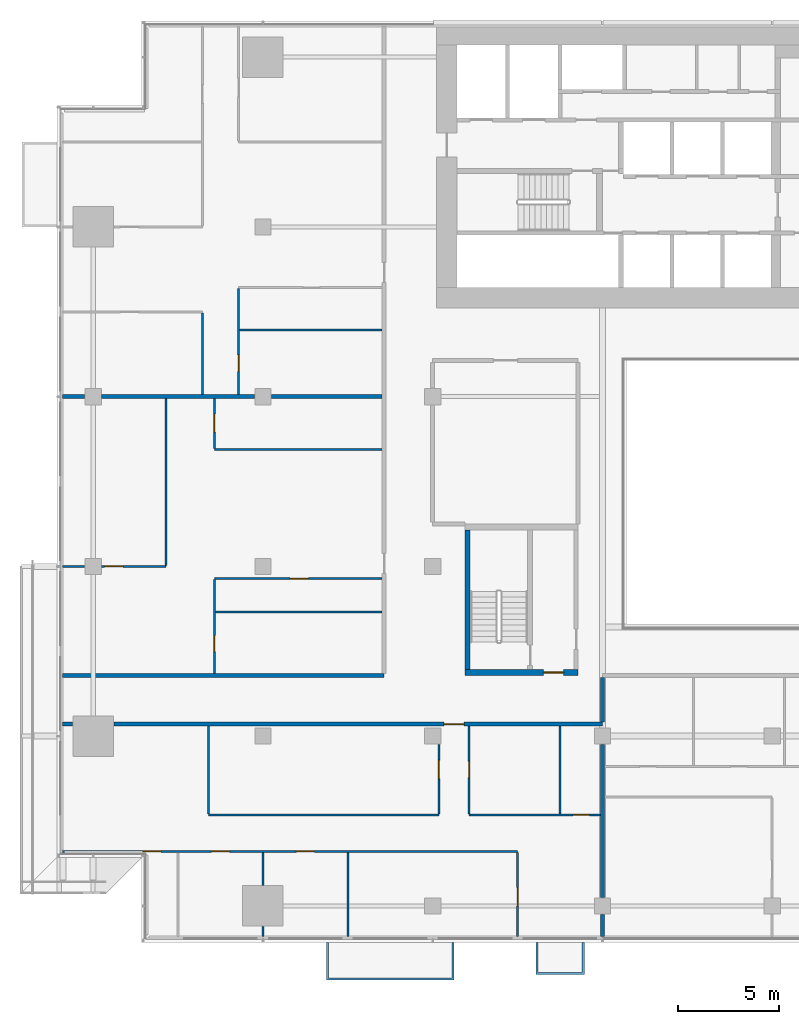
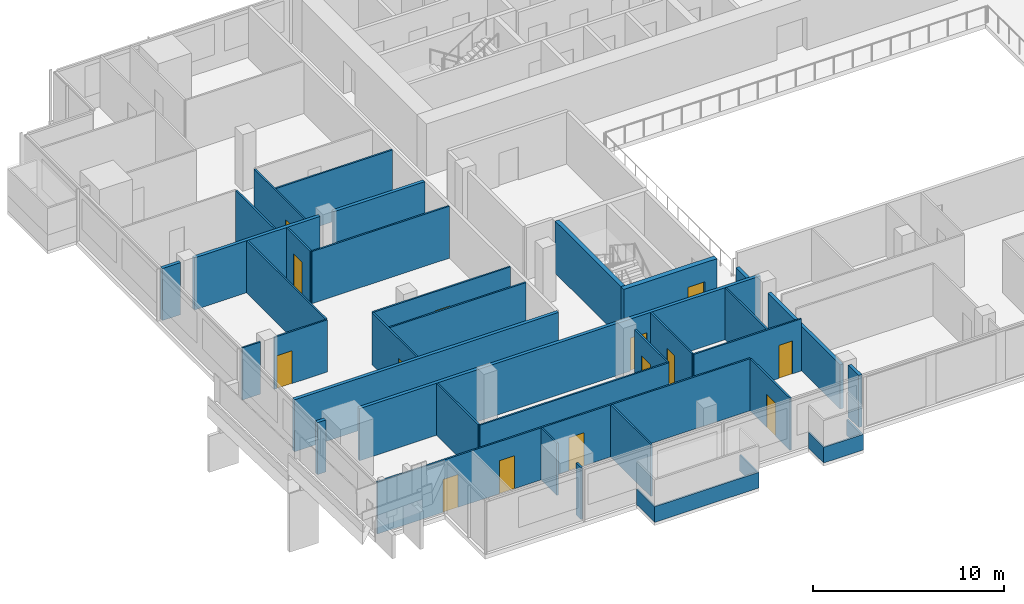
# One storey, part 18 of 29: 35 walls, 14 doors, 14 openings.
"""IFC4 building model written with IfcOpenShell, lengths in metres."""

import ifcopenshell
import ifcopenshell.guid

model = None  # the IFC model being written
_history = None  # IfcOwnerHistory: only IFC2X3 demands one
_inside = {}  # id of a spatial element -> (the spatial element, [elements in it])
_under = {}  # id of a project, library or spatial element -> (it, [spatial elements below it])
_declared = {}  # id of a project -> (the project, [libraries it declares])
_typed = {}  # id of a type object -> (the type object, [elements of that type])
_made_of = {}  # id of a material, layer set ... -> (it, [elements and type objects made of it])


def new_model(schema):
    """Start an empty IFC model of exactly this schema.

    Asked for "IFC4X3", IfcOpenShell would pick the latest addendum, in which some entities
    have other attributes; the version numbers below select the first issue.
    IFC2X3 requires an IfcOwnerHistory on every rooted entity: one is made here for all.
    """
    global model, _history
    if schema == "IFC4X3":
        model = ifcopenshell.file(schema_version=(4, 3, 0, 0))
    else:
        model = ifcopenshell.file(schema=schema)
    _inside.clear()
    _under.clear()
    _declared.clear()
    _typed.clear()
    _made_of.clear()
    _history = None
    if model.schema == "IFC2X3":
        org = make("IfcOrganization", Name="unknown")
        user = make(
            "IfcPersonAndOrganization",
            ThePerson=make("IfcPerson", FamilyName="unknown"),
            TheOrganization=org,
        )
        app = make(
            "IfcApplication",
            ApplicationDeveloper=org,
            Version="unknown",
            ApplicationFullName="unknown",
            ApplicationIdentifier="unknown",
        )
        _history = make(
            "IfcOwnerHistory",
            OwningUser=user,
            OwningApplication=app,
            ChangeAction="ADDED",
            CreationDate=0,
        )
    return model


def make(cls, **values):
    """One entity of the class cls with the attributes given. An attribute that is None is left unset."""
    return model.create_entity(
        cls, **{name: value for name, value in values.items() if value is not None}
    )


def rooted(cls, **values):
    """An entity with a GlobalId (a new one), such as an element, a storey or a relation."""
    return make(cls, GlobalId=ifcopenshell.guid.new(), OwnerHistory=_history, **values)


def si_unit(unit_type, name, prefix=None):
    """IfcSIUnit, for example si_unit("LENGTHUNIT", "METRE", prefix="MILLI")."""
    return make("IfcSIUnit", UnitType=unit_type, Prefix=prefix, Name=name)


def assignment(units):
    """IfcUnitAssignment: the units of a project."""
    return None if units is None else make("IfcUnitAssignment", Units=units)


def point(xyz):
    """IfcCartesianPoint."""
    return None if xyz is None else make("IfcCartesianPoint", Coordinates=xyz)


def direction(xyz):
    """IfcDirection."""
    return None if xyz is None else make("IfcDirection", DirectionRatios=xyz)


def frame(location, z_axis=None, x_axis=None):
    """IfcAxis2Placement3D, a coordinate frame: its origin and axes. An axis left out is left unset."""
    return make(
        "IfcAxis2Placement3D",
        Location=point(location),
        Axis=direction(z_axis),
        RefDirection=direction(x_axis),
    )


def frame_2d(location, x_axis=None):
    """IfcAxis2Placement2D, a coordinate frame in the plane: its origin and x axis."""
    return make(
        "IfcAxis2Placement2D", Location=point(location), RefDirection=direction(x_axis)
    )


def origin():
    """The frame at (0, 0, 0) with its axes left unset."""
    return frame((0.0, 0.0, 0.0))


def place(relative_to, where):
    """IfcLocalPlacement: puts the frame where relative to a parent placement (None: the world)."""
    return make(
        "IfcLocalPlacement", PlacementRelTo=relative_to, RelativePlacement=where
    )


def context(
    kind, dimensions, precision=None, world=None, true_north=None, identifier=None
):
    """IfcGeometricRepresentationContext, for example the 3D "Model" context."""
    return make(
        "IfcGeometricRepresentationContext",
        ContextIdentifier=identifier,
        ContextType=kind,
        CoordinateSpaceDimension=dimensions,
        Precision=precision,
        WorldCoordinateSystem=world,
        TrueNorth=true_north,
    )


def subcontext(parent, identifier, kind, view, scale=None):
    """IfcGeometricRepresentationSubContext, for example "Body" below "Model"."""
    return make(
        "IfcGeometricRepresentationSubContext",
        ContextIdentifier=identifier,
        ContextType=kind,
        ParentContext=parent,
        TargetScale=scale,
        TargetView=view,
    )


def project(units=None, contexts=None):
    """IfcProject with its units and contexts."""
    return rooted(
        "IfcProject",
        Name="project",
        RepresentationContexts=contexts,
        UnitsInContext=assignment(units),
    )


def spatial(cls, under=None, at=None, **own):
    """A site, building, storey or space (cls), placed at a placement, below another one or the project."""
    s = rooted(cls, ObjectPlacement=at, **own)
    if under is not None:
        _under.setdefault(under.id(), (under, []))[1].append(s)
    return s


def polyline(points):
    """IfcPolyline through the points."""
    return make("IfcPolyline", Points=[point(p) for p in points])


def profile(cls, at=None, kind="AREA", **sizes):
    """A parametric profile (cls). Its sizes go by their IFC names, for example OverallWidth=200.0."""
    return make(cls, ProfileType=kind, Position=at, **sizes)


def rectangle(**sizes):
    """IfcRectangleProfileDef."""
    return profile("IfcRectangleProfileDef", **sizes)


def outline(outer, holes=None, kind="AREA"):
    """IfcArbitraryClosedProfileDef: a profile drawn as a closed curve; with holes, ...WithVoids."""
    if holes is None:
        return make("IfcArbitraryClosedProfileDef", ProfileType=kind, OuterCurve=outer)
    return make(
        "IfcArbitraryProfileDefWithVoids",
        ProfileType=kind,
        OuterCurve=outer,
        InnerCurves=holes,
    )


def extrude(swept, where, along, depth):
    """IfcExtrudedAreaSolid: the profile swept, set in the frame where, extruded along a direction by depth."""
    return make(
        "IfcExtrudedAreaSolid",
        SweptArea=swept,
        Position=where,
        ExtrudedDirection=direction(along),
        Depth=depth,
    )


def shape(context_of_items, identifier, shape_type, items):
    """IfcShapeRepresentation: the items that make up one representation, for example the "Body"."""
    return make(
        "IfcShapeRepresentation",
        ContextOfItems=context_of_items,
        RepresentationIdentifier=identifier,
        RepresentationType=shape_type,
        Items=items,
    )


def material(Name=None, Category=None):
    """IfcMaterial."""
    return make("IfcMaterial", Name=Name, Category=Category)


def layer(
    of_material, thickness, ventilated=None, Name=None, Category=None, Priority=None
):
    """IfcMaterialLayer: one layer of a wall or slab, of a material (None: an air gap)."""
    return make(
        "IfcMaterialLayer",
        Material=of_material,
        LayerThickness=thickness,
        IsVentilated=ventilated,
        Name=Name,
        Category=Category,
        Priority=Priority,
    )


def layer_set(layers, Name=None):
    """IfcMaterialLayerSet."""
    return make("IfcMaterialLayerSet", MaterialLayers=layers, LayerSetName=Name)


def made_of(thing, what):
    """Note that an element or type object is made of a material, layer set ...; save() writes the relation."""
    if what is not None:
        _made_of.setdefault(what.id(), (what, []))[1].append(thing)
    return thing


def type_object(cls, material=None, **own):
    """A type object (cls), such as IfcWallType, which elements share."""
    return made_of(rooted(cls, **own), material)


def element(
    cls,
    number,
    at=None,
    inside=None,
    cuts=None,
    type_object=None,
    material=None,
    context=None,
    identifier="Body",
    shape_type=None,
    held_by="IfcProductDefinitionShape",
    body=None,
    shapes=None,
    **own,
):
    """One element of the class cls, such as IfcWall. Its Tag is "e" and its number.

    at: its placement. inside: the storey or other place that contains it. cuts: it is an
    opening in that element (IfcRelVoidsElement). A single representation is given by context,
    identifier, shape_type and body (its items); several are given by shapes. held_by: the class
    of the entity that holds the representations. save() writes the other relations.
    """
    e = rooted(cls, Tag="e%d" % number, ObjectPlacement=at, **own)
    if body is not None:
        shapes = [shape(context, identifier, shape_type, body)]
    if shapes is not None:
        e.Representation = make(held_by, Representations=shapes)
    if inside is not None:
        _inside.setdefault(inside.id(), (inside, []))[1].append(e)
    if cuts is not None:
        rooted(
            "IfcRelVoidsElement", RelatingBuildingElement=cuts, RelatedOpeningElement=e
        )
    if type_object is not None:
        _typed.setdefault(type_object.id(), (type_object, []))[1].append(e)
    return made_of(e, material)


def fill(opening, filler):
    """IfcRelFillsElement: the door or window that sits in an opening."""
    return rooted(
        "IfcRelFillsElement",
        RelatingOpeningElement=opening,
        RelatedBuildingElement=filler,
    )


def aggregate(whole, parts):
    """IfcRelAggregates: a whole, such as a stair, and the parts it consists of."""
    return rooted("IfcRelAggregates", RelatingObject=whole, RelatedObjects=parts)


def save(model, path):
    """Write the relations noted so far, then the file.

    IfcRelAggregates (storeys below a building ...), IfcRelContainedInSpatialStructure (elements
    in a storey), IfcRelDefinesByType, IfcRelAssociatesMaterial and IfcRelDeclares: one each for
    every whole, place, type object, material and project.
    """
    for whole, parts in _under.values():
        aggregate(whole, parts)
    for where, things in _inside.values():
        rooted(
            "IfcRelContainedInSpatialStructure",
            RelatedElements=things,
            RelatingStructure=where,
        )
    for kind, things in _typed.values():
        rooted("IfcRelDefinesByType", RelatedObjects=things, RelatingType=kind)
    for what, things in _made_of.values():
        rooted("IfcRelAssociatesMaterial", RelatedObjects=things, RelatingMaterial=what)
    for by, libraries in _declared.values():
        rooted("IfcRelDeclares", RelatingContext=by, RelatedDefinitions=libraries)
    model.write(path)


model = new_model("IFC4")

# Units and contexts
model_context = context("Model", 3, precision=1e-05, world=origin(), true_north=direction((0.0, 1.0)))
body_context = subcontext(model_context, "Body", "Model", "MODEL_VIEW")
ifc_project = project(units=[si_unit("LENGTHUNIT", "METRE"), si_unit("AREAUNIT", "SQUARE_METRE"), si_unit("VOLUMEUNIT", "CUBIC_METRE"), si_unit("PLANEANGLEUNIT", "RADIAN"), si_unit("MASSUNIT", "GRAM", prefix="KILO")], contexts=[model_context])

# Site, building, storey
site_placement = place(None, origin())
site = spatial("IfcSite", under=ifc_project, at=site_placement, CompositionType="ELEMENT")
building_placement = place(site_placement, origin())
building = spatial("IfcBuilding", under=site, at=building_placement, Name="Saffron Gate Tower", CompositionType="ELEMENT")
storey_placement = place(building_placement, frame((0.0, 0.0, 113.25)))
storey = spatial("IfcBuildingStorey", under=building, at=storey_placement, Name="L26", CompositionType="ELEMENT", Elevation=113.25)

# Wall
ifc_material_1 = material(Name="Concrete C70", Category="concrete")
ifc_layer_1 = layer(ifc_material_1, 0.25)
ifc_layer_set_1 = layer_set([ifc_layer_1], Name="CW2 RC core wall 250 C70")
wall_type_1 = type_object("IfcWallType", Name="CW2 RC core wall 250 C70", PredefinedType="SOLIDWALL", material=ifc_layer_set_1)
wall_1_placement = place(storey_placement, frame((68.324951171875, 43.5, 0.0), z_axis=(0.0, 0.0, 1.0), x_axis=(0.0, 1.0, 0.0)))
element("IfcWall", 1, at=wall_1_placement, inside=storey, type_object=wall_type_1, Name="Wall CW2-L26-D-2", PredefinedType="SOLIDWALL", context=body_context, shape_type="SweptSolid", body=[
    extrude(rectangle(XDim=6.89990234375, YDim=0.25, at=frame_2d((3.449951171875, 0.0))), origin(), (0.0, 0.0, 1.0), 3.320068359375),
])

# Wall, opening, door
ifc_layer_2 = layer(ifc_material_1, 0.300048828125)
ifc_layer_set_2 = layer_set([ifc_layer_2], Name="CW5 RC core wall 300 C70")
wall_type_2 = type_object("IfcWallType", Name="CW5 RC core wall 300 C70", PredefinedType="SOLIDWALL", material=ifc_layer_set_2)
wall_2_placement = place(storey_placement, frame((68.199951171875, 43.35009765625, 0.0), z_axis=(0.0, 0.0, 1.0), x_axis=(1.0, 0.0, 0.0)))
wall_2 = element("IfcWall", 2, at=wall_2_placement, inside=storey, type_object=wall_type_2, Name="Wall CW5-L26-D-1", PredefinedType="SOLIDWALL", context=body_context, shape_type="SweptSolid", body=[
    extrude(rectangle(XDim=5.60009765625, YDim=0.300048828125, at=frame_2d((2.800048828125, 0.0))), origin(), (0.0, 0.0, 1.0), 3.320068359375),
])
opening_1_placement = place(wall_2_placement, frame((3.875, 0.0, 0.0)))
opening_1 = element("IfcOpeningElement", 3, at=opening_1_placement, cuts=wall_2, Name="Opening CR-18", PredefinedType="OPENING", context=body_context, shape_type="SweptSolid", body=[
    extrude(rectangle(XDim=1.0, YDim=2.10009765625, at=frame_2d((0.5, 1.050048828125))), frame((0.0, 0.16015625, 0.0), z_axis=(0.0, -1.0, 0.0), x_axis=(1.0, 0.0, 0.0)), (0.0, 0.0, 1.0), 0.320068359375),
])
ifc_material_2 = material(Name="Steel fire door set", Category="steel")
door_type_1 = type_object("IfcDoorType", Name="CD4 Lobby door 1000x2100 EI 120", OperationType="NOTDEFINED", PredefinedType="DOOR", material=ifc_material_2)
door_1_placement = place(opening_1_placement, origin())
door_1 = element("IfcDoor", 4, at=door_1_placement, inside=storey, type_object=door_type_1, Name="DOOR CR-18", OperationType="SINGLE_SWING_RIGHT", OverallHeight=2.10009765625, OverallWidth=1.0, PredefinedType="DOOR", context=body_context, shape_type="SweptSolid", body=[
    extrude(rectangle(XDim=1.0, YDim=2.10009765625, at=frame_2d((0.5, 1.050048828125))), frame((0.0, 0.02490234375, 0.0), z_axis=(0.0, -1.0, 0.0), x_axis=(1.0, 0.0, 0.0)), (0.0, 0.0, 1.0), 0.050048828125),
])
fill(opening_1, door_1)

# Wall, openings, doors
ifc_material_3 = material(Name="Plasterboard on steel studs", Category="steel")
ifc_layer_3 = layer(ifc_material_3, 0.10009765625)
ifc_layer_set_3 = layer_set([ifc_layer_3], Name="PW1 Partition 100")
wall_type_3 = type_object("IfcWallType", Name="PW1 Partition 100", PredefinedType="PARTITIONING", material=ifc_layer_set_3)
wall_3_placement = place(storey_placement, frame((70.800048828125, 34.5, 0.0), z_axis=(0.0, 0.0, 1.0), x_axis=(-1.0, 0.0, 0.0)))
wall_3 = element("IfcWall", 5, at=wall_3_placement, inside=storey, type_object=wall_type_3, Name="Partition B2-1", PredefinedType="PARTITIONING", context=body_context, shape_type="SweptSolid", body=[
    extrude(rectangle(XDim=22.52001953125, YDim=0.10009765625, at=frame_2d((11.260009765625, 0.0))), origin(), (0.0, 0.0, 1.0), 3.320068359375),
])
opening_2_placement = place(wall_3_placement, frame((10.050048828125, 0.0, 0.0)))
opening_2 = element("IfcOpeningElement", 6, at=opening_2_placement, cuts=wall_3, Name="Opening B2-10", PredefinedType="OPENING", context=body_context, shape_type="SweptSolid", body=[
    extrude(rectangle(XDim=0.89990234375, YDim=2.10009765625, at=frame_2d((0.449951171875, 1.050048828125))), frame((0.0, 0.06005859375, 0.0), z_axis=(0.0, -1.0, 0.0), x_axis=(1.0, 0.0, 0.0)), (0.0, 0.0, 1.0), 0.1201171875),
])
opening_3_placement = place(wall_3_placement, frame((14.25, 0.0, 0.0)))
opening_3 = element("IfcOpeningElement", 7, at=opening_3_placement, cuts=wall_3, Name="Opening B2-9", PredefinedType="OPENING", context=body_context, shape_type="SweptSolid", body=[
    extrude(rectangle(XDim=0.89990234375, YDim=2.10009765625, at=frame_2d((0.449951171875, 1.050048828125))), frame((0.0, 0.06005859375, 0.0), z_axis=(0.0, -1.0, 0.0), x_axis=(1.0, 0.0, 0.0)), (0.0, 0.0, 1.0), 0.1201171875),
])
opening_4_placement = place(wall_3_placement, frame((17.65380859375, 0.0, 0.0)))
opening_4 = element("IfcOpeningElement", 8, at=opening_4_placement, cuts=wall_3, Name="Opening B2-8", PredefinedType="OPENING", context=body_context, shape_type="SweptSolid", body=[
    extrude(rectangle(XDim=0.89990234375, YDim=2.10009765625, at=frame_2d((0.449951171875, 1.050048828125))), frame((0.0, 0.06005859375, 0.0), z_axis=(0.0, -1.0, 0.0), x_axis=(1.0, 0.0, 0.0)), (0.0, 0.0, 1.0), 0.1201171875),
])
ifc_material_4 = material(Name="Timber door set", Category="wood")
door_type_2 = type_object("IfcDoorType", Name="RD1 Room door 900x2100", OperationType="NOTDEFINED", PredefinedType="DOOR", material=ifc_material_4)
door_2_placement = place(opening_2_placement, origin())
door_2 = element("IfcDoor", 9, at=door_2_placement, inside=storey, type_object=door_type_2, Name="Door B2-10", OperationType="SINGLE_SWING_RIGHT", OverallHeight=2.10009765625, OverallWidth=0.89990234375, PredefinedType="DOOR", context=body_context, shape_type="SweptSolid", body=[
    extrude(rectangle(XDim=0.89990234375, YDim=2.10009765625, at=frame_2d((0.449951171875, 1.050048828125))), frame((0.0, 0.02490234375, 0.0), z_axis=(0.0, -1.0, 0.0), x_axis=(1.0, 0.0, 0.0)), (0.0, 0.0, 1.0), 0.050048828125),
])
fill(opening_2, door_2)
door_3_placement = place(opening_3_placement, origin())
door_3 = element("IfcDoor", 10, at=door_3_placement, inside=storey, type_object=door_type_2, Name="Door B2-9", OperationType="SINGLE_SWING_RIGHT", OverallHeight=2.10009765625, OverallWidth=0.89990234375, PredefinedType="DOOR", context=body_context, shape_type="SweptSolid", body=[
    extrude(rectangle(XDim=0.89990234375, YDim=2.10009765625, at=frame_2d((0.449951171875, 1.050048828125))), frame((0.0, 0.02490234375, 0.0), z_axis=(0.0, -1.0, 0.0), x_axis=(1.0, 0.0, 0.0)), (0.0, 0.0, 1.0), 0.050048828125),
])
fill(opening_3, door_3)
door_4_placement = place(opening_4_placement, origin())
door_4 = element("IfcDoor", 11, at=door_4_placement, inside=storey, type_object=door_type_2, Name="Door B2-8", OperationType="SINGLE_SWING_LEFT", OverallHeight=2.10009765625, OverallWidth=0.89990234375, PredefinedType="DOOR", context=body_context, shape_type="SweptSolid", body=[
    extrude(rectangle(XDim=0.89990234375, YDim=2.10009765625, at=frame_2d((0.449951171875, 1.050048828125))), frame((0.0, 0.02490234375, 0.0), z_axis=(0.0, -1.0, 0.0), x_axis=(1.0, 0.0, 0.0)), (0.0, 0.0, 1.0), 0.050048828125),
])
fill(opening_4, door_4)

# Wall
wall_4_placement = place(storey_placement, frame((55.5, 36.300048828125, 0.0), z_axis=(0.0, 0.0, 1.0), x_axis=(1.0, 0.0, 0.0)))
element("IfcWall", 12, at=wall_4_placement, inside=storey, type_object=wall_type_3, Name="Partition B2-3", PredefinedType="PARTITIONING", context=body_context, shape_type="SweptSolid", body=[
    extrude(rectangle(XDim=11.39990234375, YDim=0.10009765625, at=frame_2d((5.699951171875, 0.0))), origin(), (0.0, 0.0, 1.0), 3.320068359375),
])

# Wall, opening, door
wall_5_placement = place(storey_placement, frame((68.39990234375, 36.300048828125, 0.0), z_axis=(0.0, 0.0, 1.0), x_axis=(1.0, 0.0, 0.0)))
wall_5 = element("IfcWall", 13, at=wall_5_placement, inside=storey, type_object=wall_type_3, Name="Partition B2-4", PredefinedType="PARTITIONING", context=body_context, shape_type="SweptSolid", body=[
    extrude(rectangle(XDim=6.5, YDim=0.10009765625, at=frame_2d((3.25, 0.0))), origin(), (0.0, 0.0, 1.0), 3.320068359375),
])
opening_5_placement = place(wall_5_placement, frame((5.14990234375, 0.0, 0.0)))
opening_5 = element("IfcOpeningElement", 14, at=opening_5_placement, cuts=wall_5, Name="Opening B2-37", PredefinedType="OPENING", context=body_context, shape_type="SweptSolid", body=[
    extrude(rectangle(XDim=0.800048828125, YDim=2.10009765625, at=frame_2d((0.39990234375, 1.050048828125))), frame((0.0, 0.06005859375, 0.0), z_axis=(0.0, -1.0, 0.0), x_axis=(1.0, 0.0, 0.0)), (0.0, 0.0, 1.0), 0.1201171875),
])
door_type_3 = type_object("IfcDoorType", Name="RD2 Bathroom door 800x2100", OperationType="NOTDEFINED", PredefinedType="DOOR", material=ifc_material_4)
door_5_placement = place(opening_5_placement, origin())
door_5 = element("IfcDoor", 15, at=door_5_placement, inside=storey, type_object=door_type_3, Name="Door B2-37", OperationType="SINGLE_SWING_RIGHT", OverallHeight=2.10009765625, OverallWidth=0.800048828125, PredefinedType="DOOR", context=body_context, shape_type="SweptSolid", body=[
    extrude(rectangle(XDim=0.800048828125, YDim=2.10009765625, at=frame_2d((0.39990234375, 1.050048828125))), frame((0.0, 0.02490234375, 0.0), z_axis=(0.0, -1.0, 0.0), x_axis=(1.0, 0.0, 0.0)), (0.0, 0.0, 1.0), 0.050048828125),
])
fill(opening_5, door_5)

# Wall
wall_6_placement = place(storey_placement, frame((55.85009765625, 46.354736328125, 0.0), z_axis=(0.0, 0.0, 1.0), x_axis=(1.0, 0.0, 0.0)))
element("IfcWall", 16, at=wall_6_placement, inside=storey, type_object=wall_type_3, Name="Partition B2-16", PredefinedType="PARTITIONING", context=body_context, shape_type="SweptSolid", body=[
    extrude(rectangle(XDim=8.25, YDim=0.10009765625, at=frame_2d((4.125, 0.0))), origin(), (0.0, 0.0, 1.0), 3.320068359375),
])

# Wall, opening, door
wall_7_placement = place(storey_placement, frame((64.10009765625, 48.0, 0.0), z_axis=(0.0, 0.0, 1.0), x_axis=(-1.0, 0.0, 0.0)))
wall_7 = element("IfcWall", 17, at=wall_7_placement, inside=storey, type_object=wall_type_3, Name="Partition B2-18", PredefinedType="PARTITIONING", context=body_context, shape_type="SweptSolid", body=[
    extrude(rectangle(XDim=8.300048828125, YDim=0.10009765625, at=frame_2d((4.14990234375, 0.0))), origin(), (0.0, 0.0, 1.0), 3.320068359375),
])
opening_6_placement = place(wall_7_placement, frame((3.64990234375, 0.0, 0.0)))
opening_6 = element("IfcOpeningElement", 18, at=opening_6_placement, cuts=wall_7, Name="Opening B2-25", PredefinedType="OPENING", context=body_context, shape_type="SweptSolid", body=[
    extrude(rectangle(XDim=0.89990234375, YDim=2.10009765625, at=frame_2d((0.449951171875, 1.050048828125))), frame((0.0, 0.06005859375, 0.0), z_axis=(0.0, -1.0, 0.0), x_axis=(1.0, 0.0, 0.0)), (0.0, 0.0, 1.0), 0.1201171875),
])
door_6_placement = place(opening_6_placement, origin())
door_6 = element("IfcDoor", 19, at=door_6_placement, inside=storey, type_object=door_type_2, Name="Door B2-25", OperationType="SINGLE_SWING_LEFT", OverallHeight=2.10009765625, OverallWidth=0.89990234375, PredefinedType="DOOR", context=body_context, shape_type="SweptSolid", body=[
    extrude(rectangle(XDim=0.89990234375, YDim=2.10009765625, at=frame_2d((0.449951171875, 1.050048828125))), frame((0.0, 0.02490234375, 0.0), z_axis=(0.0, -1.0, 0.0), x_axis=(1.0, 0.0, 0.0)), (0.0, 0.0, 1.0), 0.050048828125),
])
fill(opening_6, door_6)

# Wall
wall_8_placement = place(storey_placement, frame((48.280029296875, 48.60009765625, 0.0), z_axis=(0.0, 0.0, 1.0), x_axis=(1.0, 0.0, 0.0)))
element("IfcWall", 20, at=wall_8_placement, inside=storey, type_object=wall_type_3, Name="Partition B2-19", PredefinedType="PARTITIONING", context=body_context, shape_type="SweptSolid", body=[
    extrude(rectangle(XDim=1.099853515625, YDim=0.10009765625, at=frame_2d((0.5498046875, 0.0))), origin(), (0.0, 0.0, 1.0), 3.320068359375),
])

# Wall, opening, door
wall_9_placement = place(storey_placement, frame((50.219970703125, 48.60009765625, 0.0), z_axis=(0.0, 0.0, 1.0), x_axis=(1.0, 0.0, 0.0)))
wall_9 = element("IfcWall", 21, at=wall_9_placement, inside=storey, type_object=wall_type_3, Name="Partition B2-20", PredefinedType="PARTITIONING", context=body_context, shape_type="SweptSolid", body=[
    extrude(rectangle(XDim=3.179931640625, YDim=0.10009765625, at=frame_2d((1.58984375, 0.0))), origin(), (0.0, 0.0, 1.0), 3.320068359375),
])
opening_7_placement = place(wall_9_placement, frame((0.14990234375, 0.0, 0.0)))
opening_7 = element("IfcOpeningElement", 22, at=opening_7_placement, cuts=wall_9, Name="Opening B2-23", PredefinedType="OPENING", context=body_context, shape_type="SweptSolid", body=[
    extrude(rectangle(XDim=0.89990234375, YDim=2.10009765625, at=frame_2d((0.449951171875, 1.050048828125))), frame((0.0, 0.06005859375, 0.0), z_axis=(0.0, -1.0, 0.0), x_axis=(1.0, 0.0, 0.0)), (0.0, 0.0, 1.0), 0.1201171875),
])
door_7_placement = place(opening_7_placement, origin())
door_7 = element("IfcDoor", 23, at=door_7_placement, inside=storey, type_object=door_type_2, Name="Door B2-23", OperationType="SINGLE_SWING_LEFT", OverallHeight=2.10009765625, OverallWidth=0.89990234375, PredefinedType="DOOR", context=body_context, shape_type="SweptSolid", body=[
    extrude(rectangle(XDim=0.89990234375, YDim=2.10009765625, at=frame_2d((0.449951171875, 1.050048828125))), frame((0.0, 0.02490234375, 0.0), z_axis=(0.0, -1.0, 0.0), x_axis=(1.0, 0.0, 0.0)), (0.0, 0.0, 1.0), 0.050048828125),
])
fill(opening_7, door_7)

# Walls
wall_10_placement = place(storey_placement, frame((55.800048828125, 54.381103515625, 0.0), z_axis=(0.0, 0.0, 1.0), x_axis=(1.0, 0.0, 0.0)))
element("IfcWall", 24, at=wall_10_placement, inside=storey, type_object=wall_type_3, Name="Partition B2-27", PredefinedType="PARTITIONING", context=body_context, shape_type="SweptSolid", body=[
    extrude(rectangle(XDim=8.300048828125, YDim=0.10009765625, at=frame_2d((4.14990234375, 0.0))), origin(), (0.0, 0.0, 1.0), 3.320068359375),
])
wall_11_placement = place(storey_placement, frame((57.050048828125, 60.300048828125, 0.0), z_axis=(0.0, 0.0, 1.0), x_axis=(1.0, 0.0, 0.0)))
element("IfcWall", 25, at=wall_11_placement, inside=storey, type_object=wall_type_3, Name="Partition B2-36", PredefinedType="PARTITIONING", context=body_context, shape_type="SweptSolid", body=[
    extrude(rectangle(XDim=7.050048828125, YDim=0.10009765625, at=frame_2d((3.52490234375, 0.0))), origin(), (0.0, 0.0, 1.0), 3.320068359375),
])
wall_12_placement = place(storey_placement, frame((53.39990234375, 56.89990234375, 0.0), z_axis=(0.0, 0.0, 1.0), x_axis=(0.0, -1.0, 0.0)))
element("IfcWall", 26, at=wall_12_placement, inside=storey, type_object=wall_type_3, Name="Partition B2-49", PredefinedType="PARTITIONING", context=body_context, shape_type="SweptSolid", body=[
    extrude(rectangle(XDim=8.25, YDim=0.10009765625, at=frame_2d((4.125, 0.0))), origin(), (0.0, 0.0, 1.0), 3.320068359375),
])
wall_13_placement = place(storey_placement, frame((55.199951171875, 61.14990234375, 0.0), z_axis=(0.0, 0.0, 1.0), x_axis=(0.0, -1.0, 0.0)))
element("IfcWall", 27, at=wall_13_placement, inside=storey, type_object=wall_type_3, Name="Partition B2-51", PredefinedType="PARTITIONING", context=body_context, shape_type="SweptSolid", body=[
    extrude(rectangle(XDim=4.0498046875, YDim=0.10009765625, at=frame_2d((2.02490234375, 0.0))), origin(), (0.0, 0.0, 1.0), 3.320068359375),
])
wall_14_placement = place(storey_placement, frame((55.5, 40.699951171875, 0.0), z_axis=(0.0, 0.0, 1.0), x_axis=(0.0, -1.0, 0.0)))
element("IfcWall", 28, at=wall_14_placement, inside=storey, type_object=wall_type_3, Name="Partition B2-53", PredefinedType="PARTITIONING", context=body_context, shape_type="SweptSolid", body=[
    extrude(rectangle(XDim=4.349853515625, YDim=0.10009765625, at=frame_2d((2.1748046875, 0.0))), origin(), (0.0, 0.0, 1.0), 3.320068359375),
])

# Wall, opening, door
wall_15_placement = place(storey_placement, frame((55.800048828125, 47.949951171875, 0.0), z_axis=(0.0, 0.0, 1.0), x_axis=(0.0, -1.0, 0.0)))
wall_15 = element("IfcWall", 29, at=wall_15_placement, inside=storey, type_object=wall_type_3, Name="Partition B2-54", PredefinedType="PARTITIONING", context=body_context, shape_type="SweptSolid", body=[
    extrude(rectangle(XDim=4.64990234375, YDim=0.10009765625, at=frame_2d((2.324951171875, 0.0))), origin(), (0.0, 0.0, 1.0), 3.320068359375),
])
opening_8_placement = place(wall_15_placement, frame((2.772705078125, 0.0, 0.0)))
opening_8 = element("IfcOpeningElement", 30, at=opening_8_placement, cuts=wall_15, Name="Opening B2-42", PredefinedType="OPENING", context=body_context, shape_type="SweptSolid", body=[
    extrude(rectangle(XDim=0.800048828125, YDim=2.10009765625, at=frame_2d((0.39990234375, 1.050048828125))), frame((0.0, 0.06005859375, 0.0), z_axis=(0.0, -1.0, 0.0), x_axis=(1.0, 0.0, 0.0)), (0.0, 0.0, 1.0), 0.1201171875),
])
door_8_placement = place(opening_8_placement, origin())
door_8 = element("IfcDoor", 31, at=door_8_placement, inside=storey, type_object=door_type_3, Name="Door B2-42", OperationType="SINGLE_SWING_RIGHT", OverallHeight=2.10009765625, OverallWidth=0.800048828125, PredefinedType="DOOR", context=body_context, shape_type="SweptSolid", body=[
    extrude(rectangle(XDim=0.800048828125, YDim=2.10009765625, at=frame_2d((0.39990234375, 1.050048828125))), frame((0.0, 0.02490234375, 0.0), z_axis=(0.0, -1.0, 0.0), x_axis=(1.0, 0.0, 0.0)), (0.0, 0.0, 1.0), 0.050048828125),
])
fill(opening_8, door_8)

wall_16_placement = place(storey_placement, frame((55.800048828125, 56.89990234375, 0.0), z_axis=(0.0, 0.0, 1.0), x_axis=(0.0, -1.0, 0.0)))
wall_16 = element("IfcWall", 32, at=wall_16_placement, inside=storey, type_object=wall_type_3, Name="Partition B2-55", PredefinedType="PARTITIONING", context=body_context, shape_type="SweptSolid", body=[
    extrude(rectangle(XDim=2.468994140625, YDim=0.10009765625, at=frame_2d((1.234375, 0.0))), origin(), (0.0, 0.0, 1.0), 3.320068359375),
])
opening_9_placement = place(wall_16_placement, frame((0.759521484375, 0.0, 0.0)))
opening_9 = element("IfcOpeningElement", 33, at=opening_9_placement, cuts=wall_16, Name="Opening B2-24", PredefinedType="OPENING", context=body_context, shape_type="SweptSolid", body=[
    extrude(rectangle(XDim=0.89990234375, YDim=2.10009765625, at=frame_2d((0.449951171875, 1.050048828125))), frame((0.0, 0.06005859375, 0.0), z_axis=(0.0, -1.0, 0.0), x_axis=(1.0, 0.0, 0.0)), (0.0, 0.0, 1.0), 0.1201171875),
])
door_9_placement = place(opening_9_placement, origin())
door_9 = element("IfcDoor", 34, at=door_9_placement, inside=storey, type_object=door_type_2, Name="Door B2-24", OperationType="SINGLE_SWING_LEFT", OverallHeight=2.10009765625, OverallWidth=0.89990234375, PredefinedType="DOOR", context=body_context, shape_type="SweptSolid", body=[
    extrude(rectangle(XDim=0.89990234375, YDim=2.10009765625, at=frame_2d((0.449951171875, 1.050048828125))), frame((0.0, 0.02490234375, 0.0), z_axis=(0.0, -1.0, 0.0), x_axis=(1.0, 0.0, 0.0)), (0.0, 0.0, 1.0), 0.050048828125),
])
fill(opening_9, door_9)

wall_17_placement = place(storey_placement, frame((57.0, 62.35009765625, 0.0), z_axis=(0.0, 0.0, 1.0), x_axis=(0.0, -1.0, 0.0)))
wall_17 = element("IfcWall", 35, at=wall_17_placement, inside=storey, type_object=wall_type_3, Name="Partition B2-56", PredefinedType="PARTITIONING", context=body_context, shape_type="SweptSolid", body=[
    extrude(rectangle(XDim=5.25, YDim=0.10009765625, at=frame_2d((2.625, 0.0))), origin(), (0.0, 0.0, 1.0), 3.320068359375),
])
opening_10_placement = place(wall_17_placement, frame((3.300048828125, 0.0, 0.0)))
opening_10 = element("IfcOpeningElement", 36, at=opening_10_placement, cuts=wall_17, Name="Opening B2-43", PredefinedType="OPENING", context=body_context, shape_type="SweptSolid", body=[
    extrude(rectangle(XDim=0.800048828125, YDim=2.10009765625, at=frame_2d((0.39990234375, 1.050048828125))), frame((0.0, 0.06005859375, 0.0), z_axis=(0.0, -1.0, 0.0), x_axis=(1.0, 0.0, 0.0)), (0.0, 0.0, 1.0), 0.1201171875),
])
door_10_placement = place(opening_10_placement, origin())
door_10 = element("IfcDoor", 37, at=door_10_placement, inside=storey, type_object=door_type_3, Name="Door B2-43", OperationType="SINGLE_SWING_RIGHT", OverallHeight=2.10009765625, OverallWidth=0.800048828125, PredefinedType="DOOR", context=body_context, shape_type="SweptSolid", body=[
    extrude(rectangle(XDim=0.800048828125, YDim=2.10009765625, at=frame_2d((0.39990234375, 1.050048828125))), frame((0.0, 0.02490234375, 0.0), z_axis=(0.0, -1.0, 0.0), x_axis=(1.0, 0.0, 0.0)), (0.0, 0.0, 1.0), 0.050048828125),
])
fill(opening_10, door_10)

# Walls
wall_18_placement = place(storey_placement, frame((58.199951171875, 30.780029296875, 0.0), z_axis=(0.0, 0.0, 1.0), x_axis=(0.0, -1.0, 0.0)))
element("IfcWall", 38, at=wall_18_placement, inside=storey, type_object=wall_type_3, Name="Partition B2-58", PredefinedType="PARTITIONING", context=body_context, shape_type="SweptSolid", body=[
    extrude(rectangle(XDim=0.5, YDim=0.10009765625, at=frame_2d((0.25, 0.0))), origin(), (0.0, 0.0, 1.0), 3.320068359375),
])
wall_19_placement = place(storey_placement, frame((58.199951171875, 34.449951171875, 0.0), z_axis=(0.0, 0.0, 1.0), x_axis=(0.0, -1.0, 0.0)))
element("IfcWall", 39, at=wall_19_placement, inside=storey, type_object=wall_type_3, Name="Partition B2-59", PredefinedType="PARTITIONING", context=body_context, shape_type="SweptSolid", body=[
    extrude(rectangle(XDim=1.6298828125, YDim=0.10009765625, at=frame_2d((0.81494140625, 0.0))), origin(), (0.0, 0.0, 1.0), 3.320068359375),
])
wall_20_placement = place(storey_placement, frame((62.39990234375, 34.449951171875, 0.0), z_axis=(0.0, 0.0, 1.0), x_axis=(0.0, -1.0, 0.0)))
element("IfcWall", 40, at=wall_20_placement, inside=storey, type_object=wall_type_3, Name="Partition B2-60", PredefinedType="PARTITIONING", context=body_context, shape_type="SweptSolid", body=[
    extrude(rectangle(XDim=4.169921875, YDim=0.10009765625, at=frame_2d((2.0849609375, 0.0))), origin(), (0.0, 0.0, 1.0), 3.320068359375),
])

# Wall, opening, door
wall_21_placement = place(storey_placement, frame((66.89990234375, 36.35009765625, 0.0), z_axis=(0.0, 0.0, 1.0), x_axis=(0.0, 1.0, 0.0)))
wall_21 = element("IfcWall", 41, at=wall_21_placement, inside=storey, type_object=wall_type_3, Name="Partition B2-64", PredefinedType="PARTITIONING", context=body_context, shape_type="SweptSolid", body=[
    extrude(rectangle(XDim=3.429931640625, YDim=0.10009765625, at=frame_2d((1.71484375, 0.0))), origin(), (0.0, 0.0, 1.0), 3.320068359375),
])
opening_11_placement = place(wall_21_placement, frame((1.75, 0.0, 0.0)))
opening_11 = element("IfcOpeningElement", 42, at=opening_11_placement, cuts=wall_21, Name="Opening B2-12", PredefinedType="OPENING", context=body_context, shape_type="SweptSolid", body=[
    extrude(rectangle(XDim=0.89990234375, YDim=2.10009765625, at=frame_2d((0.449951171875, 1.050048828125))), frame((0.0, 0.06005859375, 0.0), z_axis=(0.0, -1.0, 0.0), x_axis=(1.0, 0.0, 0.0)), (0.0, 0.0, 1.0), 0.1201171875),
])
door_11_placement = place(opening_11_placement, origin())
door_11 = element("IfcDoor", 43, at=door_11_placement, inside=storey, type_object=door_type_2, Name="Door B2-12", OperationType="SINGLE_SWING_RIGHT", OverallHeight=2.10009765625, OverallWidth=0.89990234375, PredefinedType="DOOR", context=body_context, shape_type="SweptSolid", body=[
    extrude(rectangle(XDim=0.89990234375, YDim=2.10009765625, at=frame_2d((0.449951171875, 1.050048828125))), frame((0.0, 0.02490234375, 0.0), z_axis=(0.0, -1.0, 0.0), x_axis=(1.0, 0.0, 0.0)), (0.0, 0.0, 1.0), 0.050048828125),
])
fill(opening_11, door_11)

wall_22_placement = place(storey_placement, frame((68.39990234375, 40.699951171875, 0.0), z_axis=(0.0, 0.0, 1.0), x_axis=(0.0, -1.0, 0.0)))
wall_22 = element("IfcWall", 44, at=wall_22_placement, inside=storey, type_object=wall_type_3, Name="Partition B2-65", PredefinedType="PARTITIONING", context=body_context, shape_type="SweptSolid", body=[
    extrude(rectangle(XDim=4.349853515625, YDim=0.10009765625, at=frame_2d((2.1748046875, 0.0))), origin(), (0.0, 0.0, 1.0), 3.320068359375),
])
opening_12_placement = place(wall_22_placement, frame((1.75, 0.0, 0.0)))
opening_12 = element("IfcOpeningElement", 45, at=opening_12_placement, cuts=wall_22, Name="Opening B2-36", PredefinedType="OPENING", context=body_context, shape_type="SweptSolid", body=[
    extrude(rectangle(XDim=0.800048828125, YDim=2.10009765625, at=frame_2d((0.39990234375, 1.050048828125))), frame((0.0, 0.06005859375, 0.0), z_axis=(0.0, -1.0, 0.0), x_axis=(1.0, 0.0, 0.0)), (0.0, 0.0, 1.0), 0.1201171875),
])
door_12_placement = place(opening_12_placement, origin())
door_12 = element("IfcDoor", 46, at=door_12_placement, inside=storey, type_object=door_type_3, Name="Door B2-36", OperationType="SINGLE_SWING_LEFT", OverallHeight=2.10009765625, OverallWidth=0.800048828125, PredefinedType="DOOR", context=body_context, shape_type="SweptSolid", body=[
    extrude(rectangle(XDim=0.800048828125, YDim=2.10009765625, at=frame_2d((0.39990234375, 1.050048828125))), frame((0.0, 0.02490234375, 0.0), z_axis=(0.0, -1.0, 0.0), x_axis=(1.0, 0.0, 0.0)), (0.0, 0.0, 1.0), 0.050048828125),
])
fill(opening_12, door_12)

wall_23_placement = place(storey_placement, frame((70.800048828125, 30.280029296875, 0.0), z_axis=(0.0, 0.0, 1.0), x_axis=(0.0, 1.0, 0.0)))
wall_23 = element("IfcWall", 47, at=wall_23_placement, inside=storey, type_object=wall_type_3, Name="Partition B2-66", PredefinedType="PARTITIONING", context=body_context, shape_type="SweptSolid", body=[
    extrude(rectangle(XDim=4.169921875, YDim=0.10009765625, at=frame_2d((2.0849609375, 0.0))), origin(), (0.0, 0.0, 1.0), 3.320068359375),
])
opening_13_placement = place(wall_23_placement, frame((1.52001953125, 0.0, 0.0)))
opening_13 = element("IfcOpeningElement", 48, at=opening_13_placement, cuts=wall_23, Name="Opening B2-11", PredefinedType="OPENING", context=body_context, shape_type="SweptSolid", body=[
    extrude(rectangle(XDim=0.89990234375, YDim=2.10009765625, at=frame_2d((0.449951171875, 1.050048828125))), frame((0.0, 0.06005859375, 0.0), z_axis=(0.0, -1.0, 0.0), x_axis=(1.0, 0.0, 0.0)), (0.0, 0.0, 1.0), 0.1201171875),
])
door_13_placement = place(opening_13_placement, origin())
door_13 = element("IfcDoor", 49, at=door_13_placement, inside=storey, type_object=door_type_2, Name="Door B2-11", OperationType="SINGLE_SWING_LEFT", OverallHeight=2.10009765625, OverallWidth=0.89990234375, PredefinedType="DOOR", context=body_context, shape_type="SweptSolid", body=[
    extrude(rectangle(XDim=0.89990234375, YDim=2.10009765625, at=frame_2d((0.449951171875, 1.050048828125))), frame((0.0, 0.02490234375, 0.0), z_axis=(0.0, -1.0, 0.0), x_axis=(1.0, 0.0, 0.0)), (0.0, 0.0, 1.0), 0.050048828125),
])
fill(opening_13, door_13)

# Walls
wall_24_placement = place(storey_placement, frame((72.89990234375, 40.699951171875, 0.0), z_axis=(0.0, 0.0, 1.0), x_axis=(0.0, -1.0, 0.0)))
element("IfcWall", 50, at=wall_24_placement, inside=storey, type_object=wall_type_3, Name="Partition B2-67", PredefinedType="PARTITIONING", context=body_context, shape_type="SweptSolid", body=[
    extrude(rectangle(XDim=4.349853515625, YDim=0.10009765625, at=frame_2d((2.1748046875, 0.0))), origin(), (0.0, 0.0, 1.0), 3.320068359375),
])
ifc_material_5 = material(Name="Clay brick masonry, rendered", Category="masonry")
ifc_layer_4 = layer(ifc_material_5, 0.199951171875)
ifc_layer_set_4 = layer_set([ifc_layer_4], Name="PW2 Demising wall 200")
wall_type_4 = type_object("IfcWallType", Name="PW2 Demising wall 200", PredefinedType="PARTITIONING", material=ifc_layer_set_4)
wall_25_placement = place(storey_placement, frame((48.280029296875, 57.0, 0.0), z_axis=(0.0, 0.0, 1.0), x_axis=(1.0, 0.0, 0.0)))
element("IfcWall", 51, at=wall_25_placement, inside=storey, type_object=wall_type_4, Name="Wall B2-29", PredefinedType="PARTITIONING", context=body_context, shape_type="SweptSolid", body=[
    extrude(rectangle(XDim=1.099853515625, YDim=0.199951171875, at=frame_2d((0.5498046875, 0.0))), origin(), (0.0, 0.0, 1.0), 3.320068359375),
])
wall_26_placement = place(storey_placement, frame((50.219970703125, 57.0, 0.0), z_axis=(0.0, 0.0, 1.0), x_axis=(1.0, 0.0, 0.0)))
element("IfcWall", 52, at=wall_26_placement, inside=storey, type_object=wall_type_4, Name="Wall B2-30", PredefinedType="PARTITIONING", context=body_context, shape_type="SweptSolid", body=[
    extrude(rectangle(XDim=7.56005859375, YDim=0.199951171875, at=frame_2d((3.780029296875, 0.0))), origin(), (0.0, 0.0, 1.0), 3.320068359375),
])
wall_27_placement = place(storey_placement, frame((58.6201171875, 57.0, 0.0), z_axis=(0.0, 0.0, 1.0), x_axis=(1.0, 0.0, 0.0)))
element("IfcWall", 53, at=wall_27_placement, inside=storey, type_object=wall_type_4, Name="Wall B2-31", PredefinedType="PARTITIONING", context=body_context, shape_type="SweptSolid", body=[
    extrude(rectangle(XDim=5.47998046875, YDim=0.199951171875, at=frame_2d((2.739990234375, 0.0))), origin(), (0.0, 0.0, 1.0), 3.320068359375),
])
wall_28_placement = place(storey_placement, frame((75.0, 31.3798828125, 0.0), z_axis=(0.0, 0.0, 1.0), x_axis=(0.0, -1.0, 0.0)))
element("IfcWall", 54, at=wall_28_placement, inside=storey, type_object=wall_type_4, Name="Wall B2-70", PredefinedType="PARTITIONING", context=body_context, shape_type="SweptSolid", body=[
    extrude(rectangle(XDim=1.099853515625, YDim=0.199951171875, at=frame_2d((0.5498046875, 0.0))), origin(), (0.0, 0.0, 1.0), 3.320068359375),
])
wall_29_placement = place(storey_placement, frame((75.0, 39.780029296875, 0.0), z_axis=(0.0, 0.0, 1.0), x_axis=(0.0, -1.0, 0.0)))
element("IfcWall", 55, at=wall_29_placement, inside=storey, type_object=wall_type_4, Name="Wall B2-71", PredefinedType="PARTITIONING", context=body_context, shape_type="SweptSolid", body=[
    extrude(rectangle(XDim=7.56005859375, YDim=0.199951171875, at=frame_2d((3.780029296875, 0.0))), origin(), (0.0, 0.0, 1.0), 2.830078125),
])
ifc_layer_5 = layer(ifc_material_5, 0.199951171875)
ifc_layer_set_5 = layer_set([ifc_layer_5], Name="PW3 Corridor wall 200")
wall_type_5 = type_object("IfcWallType", Name="PW3 Corridor wall 200", PredefinedType="PARTITIONING", material=ifc_layer_set_5)
wall_30_placement = place(storey_placement, frame((48.280029296875, 40.800048828125, 0.0), z_axis=(0.0, 0.0, 1.0), x_axis=(1.0, 0.0, 0.0)))
element("IfcWall", 56, at=wall_30_placement, inside=storey, type_object=wall_type_5, Name="Wall B2-9", PredefinedType="PARTITIONING", context=body_context, shape_type="SweptSolid", body=[
    extrude(rectangle(XDim=0.5, YDim=0.199951171875, at=frame_2d((0.25, 0.0))), origin(), (0.0, 0.0, 1.0), 3.320068359375),
])

# Wall, opening, door
wall_31_placement = place(storey_placement, frame((75.0, 40.800048828125, 0.0), z_axis=(0.0, 0.0, 1.0), x_axis=(-1.0, 0.0, 0.0)))
wall_31 = element("IfcWall", 57, at=wall_31_placement, inside=storey, type_object=wall_type_5, Name="Wall B2-10", PredefinedType="PARTITIONING", context=body_context, shape_type="SweptSolid", body=[
    extrude(rectangle(XDim=24.179931640625, YDim=0.199951171875, at=frame_2d((12.08984375, 0.0))), origin(), (0.0, 0.0, 1.0), 3.320068359375),
])
opening_14_placement = place(wall_31_placement, frame((6.85009765625, 0.0, 0.0)))
opening_14 = element("IfcOpeningElement", 58, at=opening_14_placement, cuts=wall_31, Name="Opening B2-1", PredefinedType="OPENING", context=body_context, shape_type="SweptSolid", body=[
    extrude(rectangle(XDim=1.0, YDim=2.10009765625, at=frame_2d((0.5, 1.050048828125))), frame((0.0, 0.10986328125, 0.0), z_axis=(0.0, -1.0, 0.0), x_axis=(1.0, 0.0, 0.0)), (0.0, 0.0, 1.0), 0.219970703125),
])
ifc_material_6 = material(Name="Timber fire door set", Category="wood")
door_type_4 = type_object("IfcDoorType", Name="FD1 Flat entry door 1000x2100", OperationType="NOTDEFINED", PredefinedType="DOOR", material=ifc_material_6)
door_14_placement = place(opening_14_placement, origin())
door_14 = element("IfcDoor", 59, at=door_14_placement, inside=storey, type_object=door_type_4, Name="Door B2-1", OperationType="SINGLE_SWING_LEFT", OverallHeight=2.10009765625, OverallWidth=1.0, PredefinedType="DOOR", context=body_context, shape_type="SweptSolid", body=[
    extrude(rectangle(XDim=1.0, YDim=2.10009765625, at=frame_2d((0.5, 1.050048828125))), frame((0.0, 0.02490234375, 0.0), z_axis=(0.0, -1.0, 0.0), x_axis=(1.0, 0.0, 0.0)), (0.0, 0.0, 1.0), 0.050048828125),
])
fill(opening_14, door_14)

# Walls
wall_32_placement = place(storey_placement, frame((48.280029296875, 43.199951171875, 0.0), z_axis=(0.0, 0.0, 1.0), x_axis=(1.0, 0.0, 0.0)))
element("IfcWall", 60, at=wall_32_placement, inside=storey, type_object=wall_type_5, Name="Wall B2-13", PredefinedType="PARTITIONING", context=body_context, shape_type="SweptSolid", body=[
    extrude(rectangle(XDim=15.919921875, YDim=0.199951171875, at=frame_2d((7.9599609375, 0.0))), origin(), (0.0, 0.0, 1.0), 3.320068359375),
])
wall_33_placement = place(storey_placement, frame((75.0, 43.10009765625, 0.0), z_axis=(0.0, 0.0, 1.0), x_axis=(0.0, -1.0, 0.0)))
element("IfcWall", 61, at=wall_33_placement, inside=storey, type_object=wall_type_5, Name="Wall B2-69", PredefinedType="PARTITIONING", context=body_context, shape_type="SweptSolid", body=[
    extrude(rectangle(XDim=2.2001953125, YDim=0.199951171875, at=frame_2d((1.10009765625, 0.0))), origin(), (0.0, 0.0, 1.0), 2.429931640625),
])
ifc_material_7 = material(Name="Rendered insulated panel, white")
ifc_layer_6 = layer(ifc_material_7, 0.10009765625)
ifc_layer_set_6 = layer_set([ifc_layer_6], Name="WB3 box parapet white")
wall_type_6 = type_object("IfcWallType", Name="WB3 box parapet white", PredefinedType="SOLIDWALL", material=ifc_layer_set_6)
wall_34_placement = place(storey_placement, origin())
element("IfcWall", 62, at=wall_34_placement, inside=storey, type_object=wall_type_6, Name="WINDOW BOX parapet", PredefinedType="SOLIDWALL", context=body_context, shape_type="SweptSolid", body=[
    extrude(outline(polyline([(61.35009765625, 30.0), (61.449951171875, 30.0), (61.449951171875, 28.23291015625), (67.550048828125, 28.23291015625), (67.550048828125, 30.0), (67.64990234375, 30.0), (67.64990234375, 28.133056640625), (61.35009765625, 28.133056640625), (61.35009765625, 30.0)])), origin(), (0.0, 0.0, 1.0), 1.0),
])
wall_35_placement = place(storey_placement, origin())
element("IfcWall", 63, at=wall_35_placement, inside=storey, type_object=wall_type_6, Name="WINDOW BOX parapet", PredefinedType="SOLIDWALL", context=body_context, shape_type="SweptSolid", body=[
    extrude(outline(polyline([(71.699951171875, 30.0), (71.800048828125, 30.0), (71.800048828125, 28.5), (74.0, 28.5), (74.0, 30.0), (74.10009765625, 30.0), (74.10009765625, 28.39990234375), (71.699951171875, 28.39990234375), (71.699951171875, 30.0)])), origin(), (0.0, 0.0, 1.0), 1.0),
])

save(model, "model.ifc")
